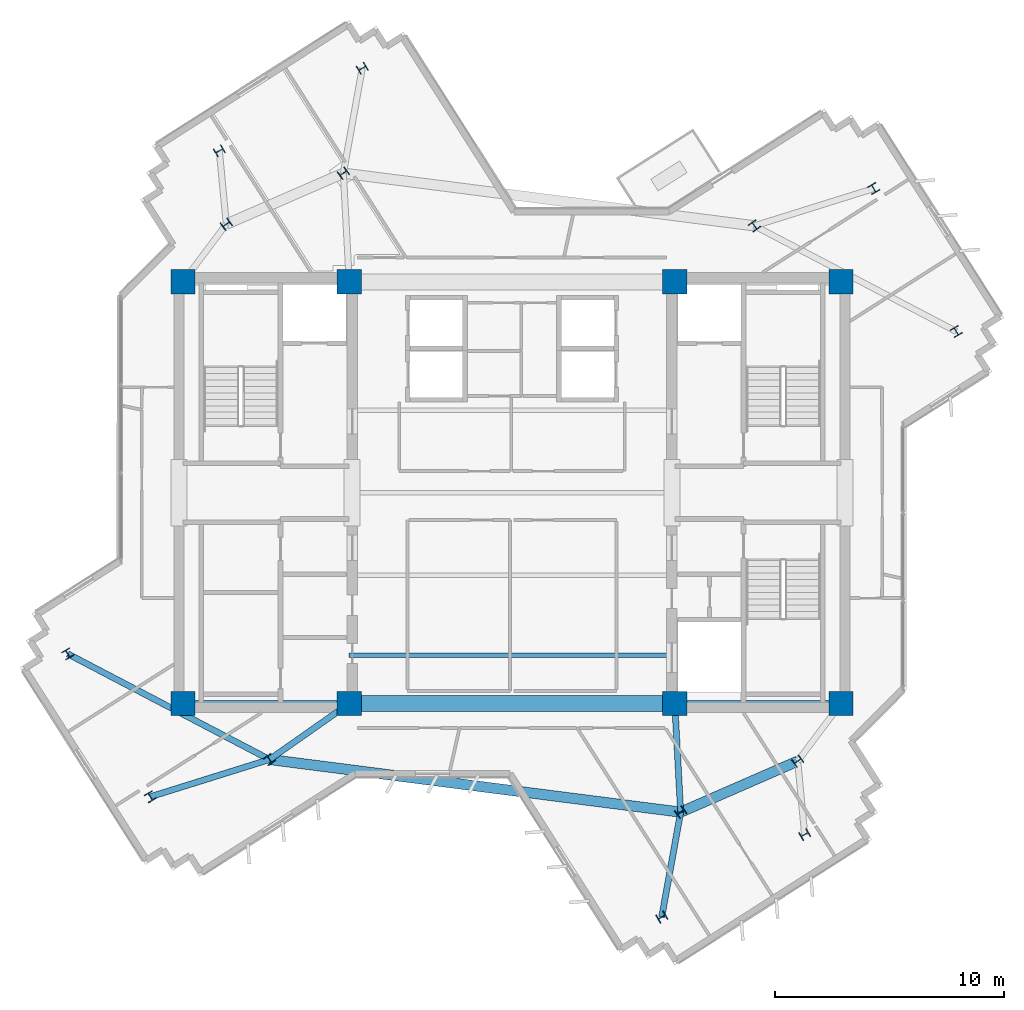
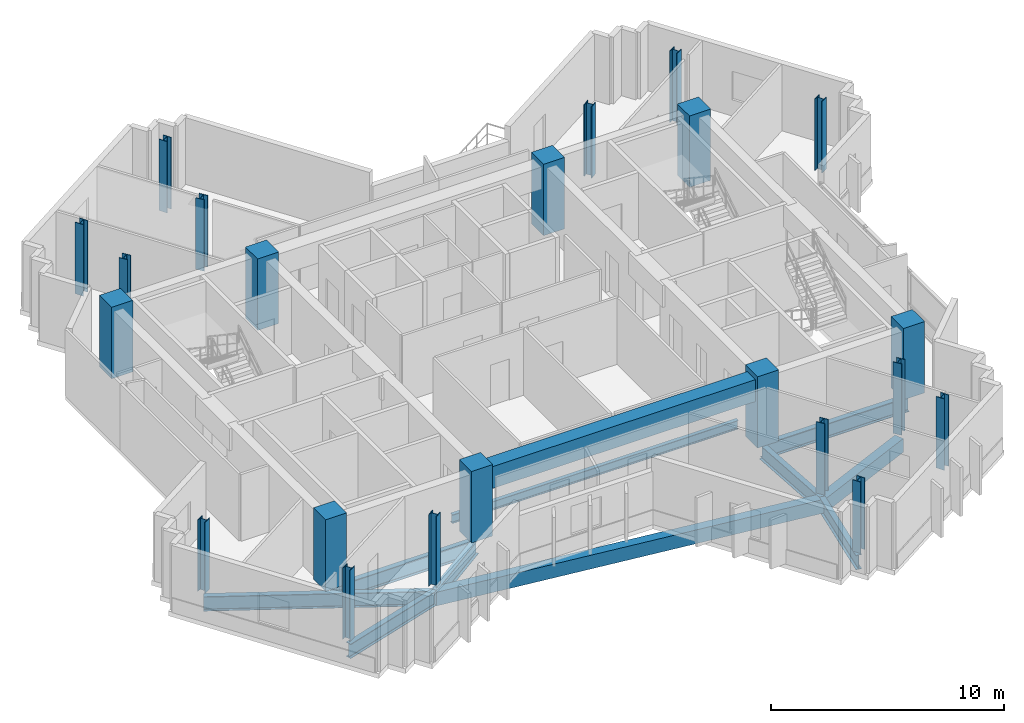
# One storey, part 1 of 12: 22 columns, 11 beams.
"""IFC4 building model written with IfcOpenShell, lengths in metres."""

from ifc_helpers import new_model, si_unit, direction, frame, origin, origin_2d, place, context, subcontext, project, spatial, rectangle, i_section, extrude, source, transform, mapped, material, material_profile, profile_set, type_object, element, save


model = new_model("IFC4")

# Units and contexts
model_context = context("Model", 3, precision=1e-05, world=origin(), true_north=direction((0.0, 1.0)))
body_context = subcontext(model_context, "Body", "Model", "MODEL_VIEW")
ifc_project = project(units=[si_unit("LENGTHUNIT", "METRE"), si_unit("AREAUNIT", "SQUARE_METRE"), si_unit("VOLUMEUNIT", "CUBIC_METRE"), si_unit("PLANEANGLEUNIT", "RADIAN"), si_unit("MASSUNIT", "GRAM", prefix="KILO")], contexts=[model_context])

# Site, building, storey
site_placement = place(None, origin())
site = spatial("IfcSite", under=ifc_project, at=site_placement, CompositionType="ELEMENT")
building_placement = place(site_placement, origin())
building = spatial("IfcBuilding", under=site, at=building_placement, Name="Zahravan Cultural Tower", CompositionType="ELEMENT")
storey_placement = place(building_placement, frame((0.0, 0.0, 265.35009765625)))
storey = spatial("IfcBuildingStorey", under=building, at=storey_placement, Name="L63", CompositionType="ELEMENT", Elevation=265.35009765625)

# Columns
ifc_material_1 = material(Name="Concrete C50/60", Category="concrete")
ifc_material_profile_1 = material_profile(ifc_material_1, rectangle(XDim=1.050048828125, YDim=1.050048828125, at=origin_2d()), Name="RC1050X1050")
ifc_profile_set_1 = profile_set([ifc_material_profile_1], Name="Concrete C50/60")
column_type_1 = type_object("IfcColumnType", Name="COL-RC1050", PredefinedType="COLUMN", material=ifc_profile_set_1)
shared_shape_1 = source(origin(), body_context, "Body", "SweptSolid", [
    extrude(rectangle(XDim=1.050048828125, YDim=1.050048828125, at=origin_2d()), origin(), (0.0, 0.0, 1.0), 3.75),
])
for number, where, z_axis, x_axis, name in (
    (1, (21.64990234375, 17.800048828125, 0.0), (0.0, 0.0, 1.0), (1.0, 0.0, 0.0), "L63 Column CC-W1"),
    (2, (28.89990234375, 17.800048828125, 0.0), (0.0, 0.0, 1.0), (1.0, 0.0, 0.0), "L63 Column CC-W2"),
    (3, (21.64990234375, 36.199951171875, 0.0), (0.0, 0.0, 1.0), (1.0, 0.0, 0.0), "L63 Column CC-W3"),
    (4, (28.89990234375, 36.199951171875, 0.0), (0.0, 0.0, 1.0), (1.0, 0.0, 0.0), "L63 Column CC-W4"),
    (5, (43.10009765625, 17.800048828125, 0.0), (0.0, 0.0, 1.0), (1.0, 0.0, 0.0), "L63 Column CC-E1"),
    (6, (50.35009765625, 17.800048828125, 0.0), (0.0, 0.0, 1.0), (1.0, 0.0, 0.0), "L63 Column CC-E2"),
    (7, (43.10009765625, 36.199951171875, 0.0), (0.0, 0.0, 1.0), (1.0, 0.0, 0.0), "L63 Column CC-E3"),
    (8, (50.35009765625, 36.199951171875, 0.0), (0.0, 0.0, 1.0), (1.0, 0.0, 0.0), "L63 Column CC-E4"),
):
    element("IfcColumn", number, at=place(storey_placement, frame(where, z_axis=z_axis, x_axis=x_axis)), inside=storey, type_object=column_type_1, Name=name, PredefinedType="COLUMN", context=body_context, shape_type="MappedRepresentation", body=[
        mapped(shared_shape_1, transform((0.0, 0.0, 0.0), x_axis=(1.0, 0.0, 0.0), y_axis=(0.0, 1.0, 0.0), z_axis=(0.0, 0.0, 1.0), scale=1.0)),
    ])
ifc_material_2 = material(Name="Steel ASTM A992 Grade 50", Category="steel")
ifc_material_profile_2 = material_profile(ifc_material_2, i_section(OverallWidth=0.39892578125, OverallDepth=0.385986328125, WebThickness=0.02099609375, FlangeThickness=0.033203125, FilletRadius=0.01806640625, at=origin_2d()), Name="W14X176")
ifc_profile_set_2 = profile_set([ifc_material_profile_2], Name="Steel ASTM A992 Grade 50")
column_type_2 = type_object("IfcColumnType", Name="COL-W14X176", PredefinedType="COLUMN", material=ifc_profile_set_2)
shared_shape_2 = source(origin(), body_context, "Body", "SweptSolid", [
    extrude(i_section(OverallWidth=0.39892578125, OverallDepth=0.385986328125, WebThickness=0.02099609375, FlangeThickness=0.033203125, FilletRadius=0.01806640625, at=origin_2d()), origin(), (0.0, 0.0, 1.0), 3.75),
])
for number, where, z_axis, x_axis, name in (
    (9, (46.577880859375, 38.640625, 0.0), (0.0, 0.0, 1.0), (0.809016994375, 0.587785252292, 0.0), "L63 Column Z3C-E2"),
    (10, (28.642578125, 40.937255859375, 0.0), (0.0, 0.0, 1.0), (-0.587785252292, 0.809016994375, 0.0), "L63 Column Z3C-N1"),
    (11, (23.536376953125, 38.710693359375, 0.0), (0.0, 0.0, 1.0), (-0.587785252292, 0.809016994375, 0.0), "L63 Column Z3C-N2"),
    (12, (25.422119140625, 15.359375, 0.0), (0.0, 0.0, 1.0), (0.809016994375, 0.587785252292, 0.0), "L63 Column Z3C-W2"),
    (13, (43.357421875, 13.062744140625, 0.0), (0.0, 0.0, 1.0), (-0.587785252292, 0.809016994375, 0.0), "L63 Column Z3C-S1"),
    (14, (48.463623046875, 15.289306640625, 0.0), (0.0, 0.0, 1.0), (-0.587785252292, 0.809016994375, 0.0), "L63 Column Z3C-S2"),
    (15, (55.38037109375, 34.0322265625, 0.0), (0.0, 0.0, 1.0), (0.866025403784, 0.5, 0.0), "L63 Column Z3T-E1"),
    (16, (51.7802734375, 40.267578125, 0.0), (0.0, 0.0, 1.0), (0.866025403784, 0.5, 0.0), "L63 Column Z3T-E2"),
    (17, (29.4677734375, 45.514404296875, 0.0), (0.0, 0.0, 1.0), (-0.5, 0.866025403784, 0.0), "L63 Column Z3T-N1"),
    (18, (23.232421875, 41.914306640625, 0.0), (0.0, 0.0, 1.0), (-0.5, 0.866025403784, 0.0), "L63 Column Z3T-N2"),
    (19, (16.61962890625, 19.9677734375, 0.0), (0.0, 0.0, 1.0), (0.866025403784, 0.5, 0.0), "L63 Column Z3T-W1"),
    (20, (20.2197265625, 13.732421875, 0.0), (0.0, 0.0, 1.0), (0.866025403784, 0.5, 0.0), "L63 Column Z3T-W2"),
    (21, (42.5322265625, 8.485595703125, 0.0), (0.0, 0.0, 1.0), (-0.5, 0.866025403784, 0.0), "L63 Column Z3T-S1"),
    (22, (48.767578125, 12.085693359375, 0.0), (0.0, 0.0, 1.0), (-0.5, 0.866025403784, 0.0), "L63 Column Z3T-S2"),
):
    element("IfcColumn", number, at=place(storey_placement, frame(where, z_axis=z_axis, x_axis=x_axis)), inside=storey, type_object=column_type_2, Name=name, PredefinedType="COLUMN", context=body_context, shape_type="MappedRepresentation", body=[
        mapped(shared_shape_2, transform((0.0, 0.0, 0.0), x_axis=(1.0, 0.0, 0.0), y_axis=(0.0, 1.0, 0.0), z_axis=(0.0, 0.0, 1.0), scale=1.0)),
    ])

# Beams
ifc_material_profile_3 = material_profile(ifc_material_1, rectangle(XDim=0.699951171875, YDim=1.14990234375, at=origin_2d()), Name="RC700X1150")
ifc_profile_set_3 = profile_set([ifc_material_profile_3], Name="Concrete C50/60")
beam_type_1 = type_object("IfcBeamType", Name="BM-LN-RC700X1150", PredefinedType="LINTEL", material=ifc_profile_set_3)
shared_shape_3 = source(origin(), body_context, "Body", "SweptSolid", [
    extrude(rectangle(XDim=0.699951171875, YDim=1.14990234375, at=origin_2d()), origin(), (0.0, 0.0, 1.0), 14.2001953125),
])
beam_1_placement = place(storey_placement, frame((28.89990234375, 17.800048828125, 2.9248046875), z_axis=(1.0, 0.0, 0.0), x_axis=(0.0, 1.0, 0.0)))
element("IfcBeam", 23, at=beam_1_placement, inside=storey, type_object=beam_type_1, Name="L63 Beam LN-L63-S", PredefinedType="LINTEL", context=body_context, shape_type="MappedRepresentation", body=[
    mapped(shared_shape_3, transform((0.0, 0.0, 0.0), x_axis=(1.0, 0.0, 0.0), y_axis=(0.0, 1.0, 0.0), z_axis=(0.0, 0.0, 1.0), scale=1.0)),
])
ifc_material_profile_4 = material_profile(ifc_material_2, i_section(OverallWidth=0.26611328125, OverallDepth=0.780029296875, WebThickness=0.0166015625, FlangeThickness=0.030029296875, FilletRadius=0.01904296875, at=origin_2d()), Name="W30X148")
ifc_profile_set_4 = profile_set([ifc_material_profile_4], Name="Steel ASTM A992 Grade 50")
beam_type_2 = type_object("IfcBeamType", Name="BM-G-W30X148", PredefinedType="BEAM", material=ifc_profile_set_4)
shared_shape_4 = source(origin(), body_context, "Body", "SweptSolid", [
    extrude(i_section(OverallWidth=0.26611328125, OverallDepth=0.780029296875, WebThickness=0.0166015625, FlangeThickness=0.030029296875, FilletRadius=0.01904296875, at=origin_2d()), origin(), (0.0, 0.0, 1.0), 7.25),
])
for number, where, z_axis, x_axis, name in (
    (24, (21.64990234375, 17.800048828125, -0.64013671875), (1.0, 0.0, 0.0), (0.0, 1.0, 0.0), "L63 Beam BG-L63-01"),
    (25, (43.10009765625, 17.800048828125, -0.64013671875), (1.0, 0.0, 0.0), (0.0, 1.0, 0.0), "L63 Beam BG-L63-04"),
):
    element("IfcBeam", number, at=place(storey_placement, frame(where, z_axis=z_axis, x_axis=x_axis)), inside=storey, type_object=beam_type_2, Name=name, PredefinedType="BEAM", context=body_context, shape_type="MappedRepresentation", body=[
        mapped(shared_shape_4, transform((0.0, 0.0, 0.0), x_axis=(1.0, 0.0, 0.0), y_axis=(0.0, 1.0, 0.0), z_axis=(0.0, 0.0, 1.0), scale=1.0)),
    ])
ifc_material_profile_5 = material_profile(ifc_material_2, i_section(OverallWidth=0.26708984375, OverallDepth=0.761962890625, WebThickness=0.014404296875, FlangeThickness=0.021484375, FilletRadius=0.01904296875, at=origin_2d()), Name="W30X116")
ifc_profile_set_5 = profile_set([ifc_material_profile_5], Name="Steel ASTM A992 Grade 50")
beam_type_3 = type_object("IfcBeamType", Name="BM-G-W30X116", PredefinedType="BEAM", material=ifc_profile_set_5)
shared_shape_5 = source(origin(), body_context, "Body", "SweptSolid", [
    extrude(i_section(OverallWidth=0.26708984375, OverallDepth=0.761962890625, WebThickness=0.014404296875, FlangeThickness=0.021484375, FilletRadius=0.01904296875, at=origin_2d()), origin(), (0.0, 0.0, 1.0), 4.248779296875),
])
beam_2_placement = place(storey_placement, frame((28.89990234375, 17.800048828125, -0.631103515625), z_axis=(-0.81854294596, -0.574445337365, 0.0), x_axis=(0.574445337365, -0.81854294596, 0.0)))
element("IfcBeam", 26, at=beam_2_placement, inside=storey, type_object=beam_type_3, Name="L63 Beam BG-L63-07", PredefinedType="BEAM", context=body_context, shape_type="MappedRepresentation", body=[
    mapped(shared_shape_5, transform((0.0, 0.0, 0.0), x_axis=(1.0, 0.0, 0.0), y_axis=(0.0, 1.0, 0.0), z_axis=(0.0, 0.0, 1.0), scale=1.0)),
])
shared_shape_6 = source(origin(), body_context, "Body", "SweptSolid", [
    extrude(i_section(OverallWidth=0.26708984375, OverallDepth=0.761962890625, WebThickness=0.014404296875, FlangeThickness=0.021484375, FilletRadius=0.01904296875, at=origin_2d()), origin(), (0.0, 0.0, 1.0), 4.744384765625),
])
beam_3_placement = place(storey_placement, frame((43.10009765625, 17.800048828125, -0.631103515625), z_axis=(0.054238739845, -0.998527996152, 0.0), x_axis=(0.998527996152, 0.054238739845, 0.0)))
element("IfcBeam", 27, at=beam_3_placement, inside=storey, type_object=beam_type_3, Name="L63 Beam BG-L63-08", PredefinedType="BEAM", context=body_context, shape_type="MappedRepresentation", body=[
    mapped(shared_shape_6, transform((0.0, 0.0, 0.0), x_axis=(1.0, 0.0, 0.0), y_axis=(0.0, 1.0, 0.0), z_axis=(0.0, 0.0, 1.0), scale=1.0)),
])
shared_shape_7 = source(origin(), body_context, "Body", "SweptSolid", [
    extrude(i_section(OverallWidth=0.26708984375, OverallDepth=0.761962890625, WebThickness=0.014404296875, FlangeThickness=0.021484375, FilletRadius=0.01904296875, at=origin_2d()), origin(), (0.0, 0.0, 1.0), 9.935791015625),
])
beam_4_placement = place(storey_placement, frame((25.422119140625, 15.359375, -0.631103515625), z_axis=(-0.885932031042, 0.463815088558, 0.0), x_axis=(-0.463815088558, -0.885932031042, 0.0)))
element("IfcBeam", 28, at=beam_4_placement, inside=storey, type_object=beam_type_3, Name="L63 Beam BG-L63-16", PredefinedType="BEAM", context=body_context, shape_type="MappedRepresentation", body=[
    mapped(shared_shape_7, transform((0.0, 0.0, 0.0), x_axis=(1.0, 0.0, 0.0), y_axis=(0.0, 1.0, 0.0), z_axis=(0.0, 0.0, 1.0), scale=1.0)),
])
shared_shape_8 = source(origin(), body_context, "Body", "SweptSolid", [
    extrude(i_section(OverallWidth=0.26708984375, OverallDepth=0.761962890625, WebThickness=0.014404296875, FlangeThickness=0.021484375, FilletRadius=0.01904296875, at=origin_2d()), origin(), (0.0, 0.0, 1.0), 5.450927734375),
])
beam_5_placement = place(storey_placement, frame((25.422119140625, 15.359375, -0.631103515625), z_axis=(-0.954416996605, -0.298476459025, 0.0), x_axis=(0.298476459025, -0.954416996605, 0.0)))
element("IfcBeam", 29, at=beam_5_placement, inside=storey, type_object=beam_type_3, Name="L63 Beam BG-L63-17", PredefinedType="BEAM", context=body_context, shape_type="MappedRepresentation", body=[
    mapped(shared_shape_8, transform((0.0, 0.0, 0.0), x_axis=(1.0, 0.0, 0.0), y_axis=(0.0, 1.0, 0.0), z_axis=(0.0, 0.0, 1.0), scale=1.0)),
])
shared_shape_9 = source(origin(), body_context, "Body", "SweptSolid", [
    extrude(i_section(OverallWidth=0.26708984375, OverallDepth=0.761962890625, WebThickness=0.014404296875, FlangeThickness=0.021484375, FilletRadius=0.01904296875, at=origin_2d()), origin(), (0.0, 0.0, 1.0), 4.65087890625),
])
beam_6_placement = place(storey_placement, frame((43.357421875, 13.062744140625, -0.631103515625), z_axis=(-0.177425522697, -0.984134230629, 0.0), x_axis=(0.984134230629, -0.177425522697, 0.0)))
element("IfcBeam", 30, at=beam_6_placement, inside=storey, type_object=beam_type_3, Name="L63 Beam BG-L63-18", PredefinedType="BEAM", context=body_context, shape_type="MappedRepresentation", body=[
    mapped(shared_shape_9, transform((0.0, 0.0, 0.0), x_axis=(1.0, 0.0, 0.0), y_axis=(0.0, 1.0, 0.0), z_axis=(0.0, 0.0, 1.0), scale=1.0)),
])
ifc_material_3 = material(Name="Concrete C45/55", Category="concrete")
ifc_material_profile_6 = material_profile(ifc_material_3, rectangle(XDim=0.449951171875, YDim=0.719970703125, at=origin_2d()), Name="RC450X720")
ifc_profile_set_6 = profile_set([ifc_material_profile_6], Name="Concrete C45/55")
beam_type_4 = type_object("IfcBeamType", Name="BM-SP-RC450X720", PredefinedType="SPANDREL", material=ifc_profile_set_6)
shared_shape_10 = source(origin(), body_context, "Body", "SweptSolid", [
    extrude(rectangle(XDim=0.449951171875, YDim=0.719970703125, at=origin_2d()), origin(), (0.0, 0.0, 1.0), 18.081787109375),
])
beam_7_placement = place(storey_placement, frame((25.422119140625, 15.359375, -0.610107421875), z_axis=(0.991900954377, -0.127013765812, 0.0), x_axis=(0.127013765812, 0.991900954377, 0.0)))
element("IfcBeam", 31, at=beam_7_placement, inside=storey, type_object=beam_type_4, Name="L63 Beam SP-L63-20", PredefinedType="SPANDREL", context=body_context, shape_type="MappedRepresentation", body=[
    mapped(shared_shape_10, transform((0.0, 0.0, 0.0), x_axis=(1.0, 0.0, 0.0), y_axis=(0.0, 1.0, 0.0), z_axis=(0.0, 0.0, 1.0), scale=1.0)),
])
shared_shape_11 = source(origin(), body_context, "Body", "SweptSolid", [
    extrude(rectangle(XDim=0.449951171875, YDim=0.719970703125, at=origin_2d()), origin(), (0.0, 0.0, 1.0), 5.570556640625),
])
beam_8_placement = place(storey_placement, frame((43.357421875, 13.062744140625, -0.610107421875), z_axis=(0.9166445026, 0.399703459896, 0.0), x_axis=(-0.399703459896, 0.9166445026, 0.0)))
element("IfcBeam", 32, at=beam_8_placement, inside=storey, type_object=beam_type_4, Name="L63 Beam SP-L63-21", PredefinedType="SPANDREL", context=body_context, shape_type="MappedRepresentation", body=[
    mapped(shared_shape_11, transform((0.0, 0.0, 0.0), x_axis=(1.0, 0.0, 0.0), y_axis=(0.0, 1.0, 0.0), z_axis=(0.0, 0.0, 1.0), scale=1.0)),
])
ifc_material_profile_7 = material_profile(ifc_material_2, i_section(OverallWidth=0.18994140625, OverallDepth=0.45703125, WebThickness=0.009033203125, FlangeThickness=0.014404296875, FilletRadius=0.012939453125, at=origin_2d()), Name="W18X50")
ifc_profile_set_7 = profile_set([ifc_material_profile_7], Name="Steel ASTM A992 Grade 50")
beam_type_5 = type_object("IfcBeamType", Name="BM-J-W18X50", PredefinedType="JOIST", material=ifc_profile_set_7)
shared_shape_12 = source(origin(), body_context, "Body", "SweptSolid", [
    extrude(i_section(OverallWidth=0.18994140625, OverallDepth=0.45703125, WebThickness=0.009033203125, FlangeThickness=0.014404296875, FilletRadius=0.012939453125, at=origin_2d()), origin(), (0.0, 0.0, 1.0), 14.2001953125),
])
beam_9_placement = place(storey_placement, frame((28.89990234375, 19.89990234375, -0.478515625), z_axis=(1.0, 0.0, 0.0), x_axis=(0.0, 1.0, 0.0)))
element("IfcBeam", 33, at=beam_9_placement, inside=storey, type_object=beam_type_5, Name="L63 Beam BJ-L63-24", PredefinedType="JOIST", context=body_context, shape_type="MappedRepresentation", body=[
    mapped(shared_shape_12, transform((0.0, 0.0, 0.0), x_axis=(1.0, 0.0, 0.0), y_axis=(0.0, 1.0, 0.0), z_axis=(0.0, 0.0, 1.0), scale=1.0)),
])

save(model, "model.ifc")
